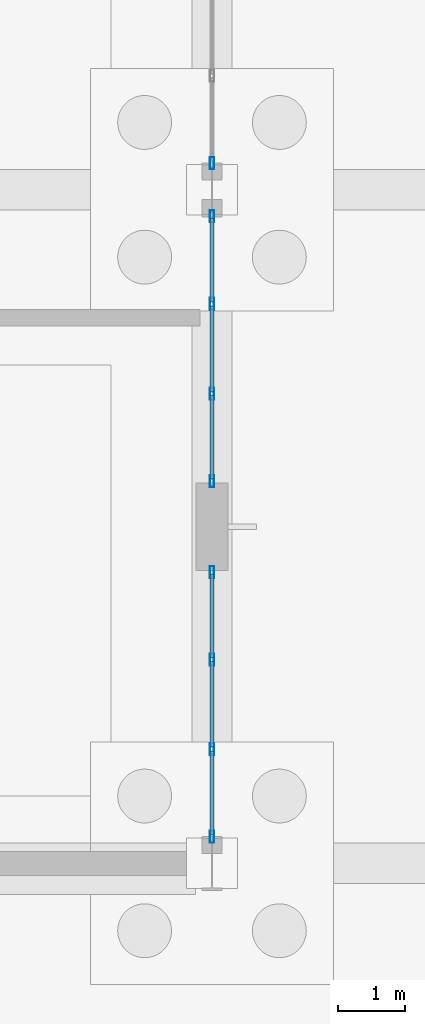
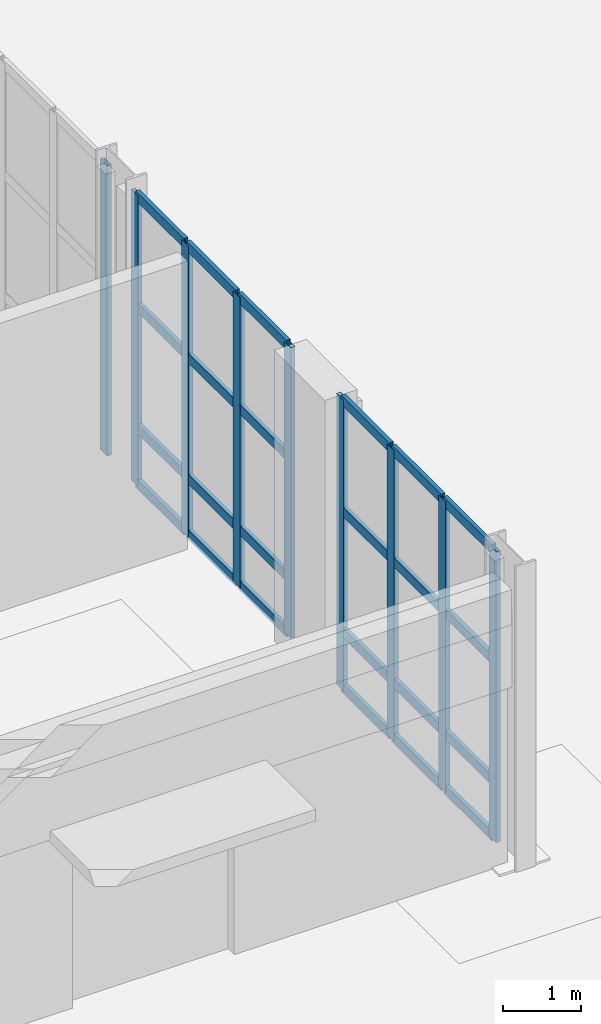
# One storey, part 30 of 73: 33 members, 3 elements without a shape of their own.
"""IFC4 building model written with IfcOpenShell, lengths in metres."""

from ifc_helpers import new_model, si_unit, direction, frame, origin, origin_2d, place, context, subcontext, project, spatial, hollow_rectangle, extrude, material, layer, layer_set, material_profile, profile_set, type_object, element, aggregate, save


model = new_model("IFC4")

# Units and contexts
model_context = context("Model", 3, precision=1e-05, world=origin(), true_north=direction((0.0, 1.0)))
body_context = subcontext(model_context, "Body", "Model", "MODEL_VIEW")
ifc_project = project(units=[si_unit("LENGTHUNIT", "METRE"), si_unit("AREAUNIT", "SQUARE_METRE"), si_unit("VOLUMEUNIT", "CUBIC_METRE"), si_unit("PLANEANGLEUNIT", "RADIAN"), si_unit("MASSUNIT", "GRAM", prefix="KILO")], contexts=[model_context])

# Site, building, storey
site_placement = place(None, origin())
site = spatial("IfcSite", under=ifc_project, at=site_placement, CompositionType="ELEMENT")
building_placement = place(site_placement, origin())
building = spatial("IfcBuilding", under=site, at=building_placement, Name="Tasgan Crest Museum", CompositionType="ELEMENT")
storey_placement = place(building_placement, origin())
storey = spatial("IfcBuildingStorey", under=building, at=storey_placement, Name="L00", CompositionType="ELEMENT", Elevation=0.0)

# Curtain wall, members
ifc_material_1 = material(Name="Triple-Glazed Aluminium Curtain Wall", Category="aluminium")
ifc_layer = layer(ifc_material_1, 0.179931640625, Name="CW-PORCH-Y")
ifc_layer_set = layer_set([ifc_layer], Name="Triple-Glazed Aluminium Curtain Wall")
curtain_wall_type = type_object("IfcCurtainWallType", Name="CW-PORCH-Y", PredefinedType="NOTDEFINED", material=ifc_layer_set)
curtain_wall_1_placement = place(storey_placement, origin())
curtain_wall_1 = element("IfcCurtainWall", 1, at=curtain_wall_1_placement, inside=storey, type_object=curtain_wall_type, Name="Curtain wall L00 007", PredefinedType="NOTDEFINED")
ifc_material_2 = material(Name="Anodised Aluminium", Category="aluminium")
ifc_material_profile_1 = material_profile(ifc_material_2, hollow_rectangle(XDim=0.06494140625, YDim=0.179931640625, WallThickness=0.0048828125, at=origin_2d()), Name="ALU MULLION 180x65x5")
ifc_profile_set_1 = profile_set([ifc_material_profile_1], Name="Anodised Aluminium")
member_type_1 = type_object("IfcMemberType", Name="CW-MULLION-180", PredefinedType="MULLION", material=ifc_profile_set_1)
member_1_placement = place(storey_placement, frame((97.199951171875, 20.39501953125, 0.0), z_axis=(0.0, 0.0, 1.0), x_axis=(-1.0, 0.0, 0.0)))
member_1 = element("IfcMember", 2, at=member_1_placement, type_object=member_type_1, Name="CW02 mullion 1", PredefinedType="MULLION", context=body_context, shape_type="SweptSolid", body=[
    extrude(hollow_rectangle(XDim=0.06494140625, YDim=0.179931640625, WallThickness=0.0048828125, at=origin_2d()), origin(), (0.0, 0.0, 1.0), 4.56005859375),
])
member_2_placement = place(storey_placement, frame((97.199951171875, 21.695068359375, 0.0), z_axis=(0.0, 0.0, 1.0), x_axis=(-1.0, 0.0, 0.0)))
member_2 = element("IfcMember", 3, at=member_2_placement, type_object=member_type_1, Name="CW02 mullion 2", PredefinedType="MULLION", context=body_context, shape_type="SweptSolid", body=[
    extrude(hollow_rectangle(XDim=0.06494140625, YDim=0.179931640625, WallThickness=0.0048828125, at=origin_2d()), origin(), (0.0, 0.0, 1.0), 4.56005859375),
])
member_3_placement = place(storey_placement, frame((97.199951171875, 23.02490234375, 0.0), z_axis=(0.0, 0.0, 1.0), x_axis=(-1.0, 0.0, 0.0)))
member_3 = element("IfcMember", 4, at=member_3_placement, type_object=member_type_1, Name="CW02 mullion 3", PredefinedType="MULLION", context=body_context, shape_type="SweptSolid", body=[
    extrude(hollow_rectangle(XDim=0.06494140625, YDim=0.179931640625, WallThickness=0.0048828125, at=origin_2d()), origin(), (0.0, 0.0, 1.0), 4.56005859375),
])
member_4_placement = place(storey_placement, frame((97.199951171875, 24.324951171875, 0.0), z_axis=(0.0, 0.0, 1.0), x_axis=(-1.0, 0.0, 0.0)))
member_4 = element("IfcMember", 5, at=member_4_placement, type_object=member_type_1, Name="CW02 mullion 4", PredefinedType="MULLION", context=body_context, shape_type="SweptSolid", body=[
    extrude(hollow_rectangle(XDim=0.06494140625, YDim=0.179931640625, WallThickness=0.0048828125, at=origin_2d()), origin(), (0.0, 0.0, 1.0), 4.56005859375),
])

curtain_wall_2_placement = place(storey_placement, origin())
curtain_wall_2 = element("IfcCurtainWall", 6, at=curtain_wall_2_placement, inside=storey, type_object=curtain_wall_type, Name="Curtain wall L00 008", PredefinedType="NOTDEFINED")
member_5_placement = place(storey_placement, frame((97.199951171875, 25.675048828125, 0.0), z_axis=(0.0, 0.0, 1.0), x_axis=(-1.0, 0.0, 0.0)))
member_5 = element("IfcMember", 7, at=member_5_placement, type_object=member_type_1, Name="CW02 mullion 1", PredefinedType="MULLION", context=body_context, shape_type="SweptSolid", body=[
    extrude(hollow_rectangle(XDim=0.06494140625, YDim=0.179931640625, WallThickness=0.0048828125, at=origin_2d()), origin(), (0.0, 0.0, 1.0), 4.56005859375),
])
member_6_placement = place(storey_placement, frame((97.199951171875, 26.97509765625, 0.0), z_axis=(0.0, 0.0, 1.0), x_axis=(-1.0, 0.0, 0.0)))
member_6 = element("IfcMember", 8, at=member_6_placement, type_object=member_type_1, Name="CW02 mullion 2", PredefinedType="MULLION", context=body_context, shape_type="SweptSolid", body=[
    extrude(hollow_rectangle(XDim=0.06494140625, YDim=0.179931640625, WallThickness=0.0048828125, at=origin_2d()), origin(), (0.0, 0.0, 1.0), 4.56005859375),
])
member_7_placement = place(storey_placement, frame((97.199951171875, 28.304931640625, 0.0), z_axis=(0.0, 0.0, 1.0), x_axis=(-1.0, 0.0, 0.0)))
member_7 = element("IfcMember", 9, at=member_7_placement, type_object=member_type_1, Name="CW02 mullion 3", PredefinedType="MULLION", context=body_context, shape_type="SweptSolid", body=[
    extrude(hollow_rectangle(XDim=0.06494140625, YDim=0.179931640625, WallThickness=0.0048828125, at=origin_2d()), origin(), (0.0, 0.0, 1.0), 4.56005859375),
])
member_8_placement = place(storey_placement, frame((97.199951171875, 29.60498046875, 0.0), z_axis=(0.0, 0.0, 1.0), x_axis=(-1.0, 0.0, 0.0)))
member_8 = element("IfcMember", 10, at=member_8_placement, type_object=member_type_1, Name="CW02 mullion 4", PredefinedType="MULLION", context=body_context, shape_type="SweptSolid", body=[
    extrude(hollow_rectangle(XDim=0.06494140625, YDim=0.179931640625, WallThickness=0.0048828125, at=origin_2d()), origin(), (0.0, 0.0, 1.0), 4.56005859375),
])

# Curtain wall, member
curtain_wall_3_placement = place(storey_placement, origin())
curtain_wall_3 = element("IfcCurtainWall", 11, at=curtain_wall_3_placement, inside=storey, type_object=curtain_wall_type, Name="Curtain wall L00 009", PredefinedType="NOTDEFINED")
member_9_placement = place(storey_placement, frame((97.199951171875, 30.39501953125, 0.0), z_axis=(0.0, 0.0, 1.0), x_axis=(-1.0, 0.0, 0.0)))
member_9 = element("IfcMember", 12, at=member_9_placement, type_object=member_type_1, Name="CW02 mullion 1", PredefinedType="MULLION", context=body_context, shape_type="SweptSolid", body=[
    extrude(hollow_rectangle(XDim=0.06494140625, YDim=0.179931640625, WallThickness=0.0048828125, at=origin_2d()), origin(), (0.0, 0.0, 1.0), 4.56005859375),
])
aggregate(curtain_wall_3, [member_9])

# Member
ifc_material_3 = material(Name="Anodised Aluminium", Category="aluminium")
ifc_material_profile_2 = material_profile(ifc_material_3, hollow_rectangle(XDim=0.06005859375, YDim=0.14990234375, WallThickness=0.0048828125, at=origin_2d()), Name="ALU TRANSOM 150x60x5")
ifc_profile_set_2 = profile_set([ifc_material_profile_2], Name="Anodised Aluminium")
member_type_2 = type_object("IfcMemberType", Name="CW-TRANSOM-150", PredefinedType="USERDEFINED", material=ifc_profile_set_2)
member_10_placement = place(storey_placement, frame((97.199951171875, 20.425048828125, 0.030029296875), z_axis=(0.0, 1.0, 0.0), x_axis=(-1.0, 0.0, 0.0)))
member_10 = element("IfcMember", 13, at=member_10_placement, type_object=member_type_2, Name="CW02 transom 1.1", ObjectType="TRANSOM", PredefinedType="USERDEFINED", context=body_context, shape_type="SweptSolid", body=[
    extrude(hollow_rectangle(XDim=0.06005859375, YDim=0.14990234375, WallThickness=0.0048828125, at=origin_2d()), origin(), (0.0, 0.0, 1.0), 1.239990234375),
])

member_11_placement = place(storey_placement, frame((97.199951171875, 20.425048828125, 0.89990234375), z_axis=(0.0, 1.0, 0.0), x_axis=(-1.0, 0.0, 0.0)))
member_11 = element("IfcMember", 14, at=member_11_placement, type_object=member_type_2, Name="CW02 transom 1.2", ObjectType="TRANSOM", PredefinedType="USERDEFINED", context=body_context, shape_type="SweptSolid", body=[
    extrude(hollow_rectangle(XDim=0.06005859375, YDim=0.14990234375, WallThickness=0.0048828125, at=origin_2d()), origin(), (0.0, 0.0, 1.0), 1.239990234375),
])

member_12_placement = place(storey_placement, frame((97.199951171875, 20.425048828125, 2.800048828125), z_axis=(0.0, 1.0, 0.0), x_axis=(-1.0, 0.0, 0.0)))
member_12 = element("IfcMember", 15, at=member_12_placement, type_object=member_type_2, Name="CW02 transom 1.3", ObjectType="TRANSOM", PredefinedType="USERDEFINED", context=body_context, shape_type="SweptSolid", body=[
    extrude(hollow_rectangle(XDim=0.06005859375, YDim=0.14990234375, WallThickness=0.0048828125, at=origin_2d()), origin(), (0.0, 0.0, 1.0), 1.239990234375),
])

member_13_placement = place(storey_placement, frame((97.199951171875, 20.425048828125, 4.530029296875), z_axis=(0.0, 1.0, 0.0), x_axis=(-1.0, 0.0, 0.0)))
member_13 = element("IfcMember", 16, at=member_13_placement, type_object=member_type_2, Name="CW02 transom 1.4", ObjectType="TRANSOM", PredefinedType="USERDEFINED", context=body_context, shape_type="SweptSolid", body=[
    extrude(hollow_rectangle(XDim=0.06005859375, YDim=0.14990234375, WallThickness=0.0048828125, at=origin_2d()), origin(), (0.0, 0.0, 1.0), 1.239990234375),
])

member_14_placement = place(storey_placement, frame((97.199951171875, 21.72509765625, 0.030029296875), z_axis=(0.0, 1.0, 0.0), x_axis=(-1.0, 0.0, 0.0)))
member_14 = element("IfcMember", 17, at=member_14_placement, type_object=member_type_2, Name="CW02 transom 2.1", ObjectType="TRANSOM", PredefinedType="USERDEFINED", context=body_context, shape_type="SweptSolid", body=[
    extrude(hollow_rectangle(XDim=0.06005859375, YDim=0.14990234375, WallThickness=0.0048828125, at=origin_2d()), origin(), (0.0, 0.0, 1.0), 1.27001953125),
])

member_15_placement = place(storey_placement, frame((97.199951171875, 21.72509765625, 0.89990234375), z_axis=(0.0, 1.0, 0.0), x_axis=(-1.0, 0.0, 0.0)))
member_15 = element("IfcMember", 18, at=member_15_placement, type_object=member_type_2, Name="CW02 transom 2.2", ObjectType="TRANSOM", PredefinedType="USERDEFINED", context=body_context, shape_type="SweptSolid", body=[
    extrude(hollow_rectangle(XDim=0.06005859375, YDim=0.14990234375, WallThickness=0.0048828125, at=origin_2d()), origin(), (0.0, 0.0, 1.0), 1.27001953125),
])

member_16_placement = place(storey_placement, frame((97.199951171875, 21.72509765625, 2.800048828125), z_axis=(0.0, 1.0, 0.0), x_axis=(-1.0, 0.0, 0.0)))
member_16 = element("IfcMember", 19, at=member_16_placement, type_object=member_type_2, Name="CW02 transom 2.3", ObjectType="TRANSOM", PredefinedType="USERDEFINED", context=body_context, shape_type="SweptSolid", body=[
    extrude(hollow_rectangle(XDim=0.06005859375, YDim=0.14990234375, WallThickness=0.0048828125, at=origin_2d()), origin(), (0.0, 0.0, 1.0), 1.27001953125),
])

member_17_placement = place(storey_placement, frame((97.199951171875, 21.72509765625, 4.530029296875), z_axis=(0.0, 1.0, 0.0), x_axis=(-1.0, 0.0, 0.0)))
member_17 = element("IfcMember", 20, at=member_17_placement, type_object=member_type_2, Name="CW02 transom 2.4", ObjectType="TRANSOM", PredefinedType="USERDEFINED", context=body_context, shape_type="SweptSolid", body=[
    extrude(hollow_rectangle(XDim=0.06005859375, YDim=0.14990234375, WallThickness=0.0048828125, at=origin_2d()), origin(), (0.0, 0.0, 1.0), 1.27001953125),
])

member_18_placement = place(storey_placement, frame((97.199951171875, 23.054931640625, 0.030029296875), z_axis=(0.0, 1.0, 0.0), x_axis=(-1.0, 0.0, 0.0)))
member_18 = element("IfcMember", 21, at=member_18_placement, type_object=member_type_2, Name="CW02 transom 3.1", ObjectType="TRANSOM", PredefinedType="USERDEFINED", context=body_context, shape_type="SweptSolid", body=[
    extrude(hollow_rectangle(XDim=0.06005859375, YDim=0.14990234375, WallThickness=0.0048828125, at=origin_2d()), origin(), (0.0, 0.0, 1.0), 1.239990234375),
])

member_19_placement = place(storey_placement, frame((97.199951171875, 23.054931640625, 0.89990234375), z_axis=(0.0, 1.0, 0.0), x_axis=(-1.0, 0.0, 0.0)))
member_19 = element("IfcMember", 22, at=member_19_placement, type_object=member_type_2, Name="CW02 transom 3.2", ObjectType="TRANSOM", PredefinedType="USERDEFINED", context=body_context, shape_type="SweptSolid", body=[
    extrude(hollow_rectangle(XDim=0.06005859375, YDim=0.14990234375, WallThickness=0.0048828125, at=origin_2d()), origin(), (0.0, 0.0, 1.0), 1.239990234375),
])

member_20_placement = place(storey_placement, frame((97.199951171875, 23.054931640625, 2.800048828125), z_axis=(0.0, 1.0, 0.0), x_axis=(-1.0, 0.0, 0.0)))
member_20 = element("IfcMember", 23, at=member_20_placement, type_object=member_type_2, Name="CW02 transom 3.3", ObjectType="TRANSOM", PredefinedType="USERDEFINED", context=body_context, shape_type="SweptSolid", body=[
    extrude(hollow_rectangle(XDim=0.06005859375, YDim=0.14990234375, WallThickness=0.0048828125, at=origin_2d()), origin(), (0.0, 0.0, 1.0), 1.239990234375),
])

member_21_placement = place(storey_placement, frame((97.199951171875, 23.054931640625, 4.530029296875), z_axis=(0.0, 1.0, 0.0), x_axis=(-1.0, 0.0, 0.0)))
member_21 = element("IfcMember", 24, at=member_21_placement, type_object=member_type_2, Name="CW02 transom 3.4", ObjectType="TRANSOM", PredefinedType="USERDEFINED", context=body_context, shape_type="SweptSolid", body=[
    extrude(hollow_rectangle(XDim=0.06005859375, YDim=0.14990234375, WallThickness=0.0048828125, at=origin_2d()), origin(), (0.0, 0.0, 1.0), 1.239990234375),
])

aggregate(curtain_wall_1, [member_1, member_2, member_3, member_4, member_10, member_11, member_12, member_13, member_14, member_15, member_16, member_17, member_18, member_19, member_20, member_21])

member_22_placement = place(storey_placement, frame((97.199951171875, 25.705078125, 0.030029296875), z_axis=(0.0, 1.0, 0.0), x_axis=(-1.0, 0.0, 0.0)))
member_22 = element("IfcMember", 25, at=member_22_placement, type_object=member_type_2, Name="CW02 transom 1.1", ObjectType="TRANSOM", PredefinedType="USERDEFINED", context=body_context, shape_type="SweptSolid", body=[
    extrude(hollow_rectangle(XDim=0.06005859375, YDim=0.14990234375, WallThickness=0.0048828125, at=origin_2d()), origin(), (0.0, 0.0, 1.0), 1.239990234375),
])

member_23_placement = place(storey_placement, frame((97.199951171875, 25.705078125, 0.89990234375), z_axis=(0.0, 1.0, 0.0), x_axis=(-1.0, 0.0, 0.0)))
member_23 = element("IfcMember", 26, at=member_23_placement, type_object=member_type_2, Name="CW02 transom 1.2", ObjectType="TRANSOM", PredefinedType="USERDEFINED", context=body_context, shape_type="SweptSolid", body=[
    extrude(hollow_rectangle(XDim=0.06005859375, YDim=0.14990234375, WallThickness=0.0048828125, at=origin_2d()), origin(), (0.0, 0.0, 1.0), 1.239990234375),
])

member_24_placement = place(storey_placement, frame((97.199951171875, 25.705078125, 2.800048828125), z_axis=(0.0, 1.0, 0.0), x_axis=(-1.0, 0.0, 0.0)))
member_24 = element("IfcMember", 27, at=member_24_placement, type_object=member_type_2, Name="CW02 transom 1.3", ObjectType="TRANSOM", PredefinedType="USERDEFINED", context=body_context, shape_type="SweptSolid", body=[
    extrude(hollow_rectangle(XDim=0.06005859375, YDim=0.14990234375, WallThickness=0.0048828125, at=origin_2d()), origin(), (0.0, 0.0, 1.0), 1.239990234375),
])

member_25_placement = place(storey_placement, frame((97.199951171875, 25.705078125, 4.530029296875), z_axis=(0.0, 1.0, 0.0), x_axis=(-1.0, 0.0, 0.0)))
member_25 = element("IfcMember", 28, at=member_25_placement, type_object=member_type_2, Name="CW02 transom 1.4", ObjectType="TRANSOM", PredefinedType="USERDEFINED", context=body_context, shape_type="SweptSolid", body=[
    extrude(hollow_rectangle(XDim=0.06005859375, YDim=0.14990234375, WallThickness=0.0048828125, at=origin_2d()), origin(), (0.0, 0.0, 1.0), 1.239990234375),
])

member_26_placement = place(storey_placement, frame((97.199951171875, 27.0048828125, 0.030029296875), z_axis=(0.0, 1.0, 0.0), x_axis=(-1.0, 0.0, 0.0)))
member_26 = element("IfcMember", 29, at=member_26_placement, type_object=member_type_2, Name="CW02 transom 2.1", ObjectType="TRANSOM", PredefinedType="USERDEFINED", context=body_context, shape_type="SweptSolid", body=[
    extrude(hollow_rectangle(XDim=0.06005859375, YDim=0.14990234375, WallThickness=0.0048828125, at=origin_2d()), origin(), (0.0, 0.0, 1.0), 1.27001953125),
])

member_27_placement = place(storey_placement, frame((97.199951171875, 27.0048828125, 0.89990234375), z_axis=(0.0, 1.0, 0.0), x_axis=(-1.0, 0.0, 0.0)))
member_27 = element("IfcMember", 30, at=member_27_placement, type_object=member_type_2, Name="CW02 transom 2.2", ObjectType="TRANSOM", PredefinedType="USERDEFINED", context=body_context, shape_type="SweptSolid", body=[
    extrude(hollow_rectangle(XDim=0.06005859375, YDim=0.14990234375, WallThickness=0.0048828125, at=origin_2d()), origin(), (0.0, 0.0, 1.0), 1.27001953125),
])

member_28_placement = place(storey_placement, frame((97.199951171875, 27.0048828125, 2.800048828125), z_axis=(0.0, 1.0, 0.0), x_axis=(-1.0, 0.0, 0.0)))
member_28 = element("IfcMember", 31, at=member_28_placement, type_object=member_type_2, Name="CW02 transom 2.3", ObjectType="TRANSOM", PredefinedType="USERDEFINED", context=body_context, shape_type="SweptSolid", body=[
    extrude(hollow_rectangle(XDim=0.06005859375, YDim=0.14990234375, WallThickness=0.0048828125, at=origin_2d()), origin(), (0.0, 0.0, 1.0), 1.27001953125),
])

member_29_placement = place(storey_placement, frame((97.199951171875, 27.0048828125, 4.530029296875), z_axis=(0.0, 1.0, 0.0), x_axis=(-1.0, 0.0, 0.0)))
member_29 = element("IfcMember", 32, at=member_29_placement, type_object=member_type_2, Name="CW02 transom 2.4", ObjectType="TRANSOM", PredefinedType="USERDEFINED", context=body_context, shape_type="SweptSolid", body=[
    extrude(hollow_rectangle(XDim=0.06005859375, YDim=0.14990234375, WallThickness=0.0048828125, at=origin_2d()), origin(), (0.0, 0.0, 1.0), 1.27001953125),
])

member_30_placement = place(storey_placement, frame((97.199951171875, 28.3349609375, 0.030029296875), z_axis=(0.0, 1.0, 0.0), x_axis=(-1.0, 0.0, 0.0)))
member_30 = element("IfcMember", 33, at=member_30_placement, type_object=member_type_2, Name="CW02 transom 3.1", ObjectType="TRANSOM", PredefinedType="USERDEFINED", context=body_context, shape_type="SweptSolid", body=[
    extrude(hollow_rectangle(XDim=0.06005859375, YDim=0.14990234375, WallThickness=0.0048828125, at=origin_2d()), origin(), (0.0, 0.0, 1.0), 1.239990234375),
])

member_31_placement = place(storey_placement, frame((97.199951171875, 28.3349609375, 0.89990234375), z_axis=(0.0, 1.0, 0.0), x_axis=(-1.0, 0.0, 0.0)))
member_31 = element("IfcMember", 34, at=member_31_placement, type_object=member_type_2, Name="CW02 transom 3.2", ObjectType="TRANSOM", PredefinedType="USERDEFINED", context=body_context, shape_type="SweptSolid", body=[
    extrude(hollow_rectangle(XDim=0.06005859375, YDim=0.14990234375, WallThickness=0.0048828125, at=origin_2d()), origin(), (0.0, 0.0, 1.0), 1.239990234375),
])

member_32_placement = place(storey_placement, frame((97.199951171875, 28.3349609375, 2.800048828125), z_axis=(0.0, 1.0, 0.0), x_axis=(-1.0, 0.0, 0.0)))
member_32 = element("IfcMember", 35, at=member_32_placement, type_object=member_type_2, Name="CW02 transom 3.3", ObjectType="TRANSOM", PredefinedType="USERDEFINED", context=body_context, shape_type="SweptSolid", body=[
    extrude(hollow_rectangle(XDim=0.06005859375, YDim=0.14990234375, WallThickness=0.0048828125, at=origin_2d()), origin(), (0.0, 0.0, 1.0), 1.239990234375),
])

member_33_placement = place(storey_placement, frame((97.199951171875, 28.3349609375, 4.530029296875), z_axis=(0.0, 1.0, 0.0), x_axis=(-1.0, 0.0, 0.0)))
member_33 = element("IfcMember", 36, at=member_33_placement, type_object=member_type_2, Name="CW02 transom 3.4", ObjectType="TRANSOM", PredefinedType="USERDEFINED", context=body_context, shape_type="SweptSolid", body=[
    extrude(hollow_rectangle(XDim=0.06005859375, YDim=0.14990234375, WallThickness=0.0048828125, at=origin_2d()), origin(), (0.0, 0.0, 1.0), 1.239990234375),
])

aggregate(curtain_wall_2, [member_5, member_6, member_7, member_8, member_22, member_23, member_24, member_25, member_26, member_27, member_28, member_29, member_30, member_31, member_32, member_33])

save(model, "model.ifc")
